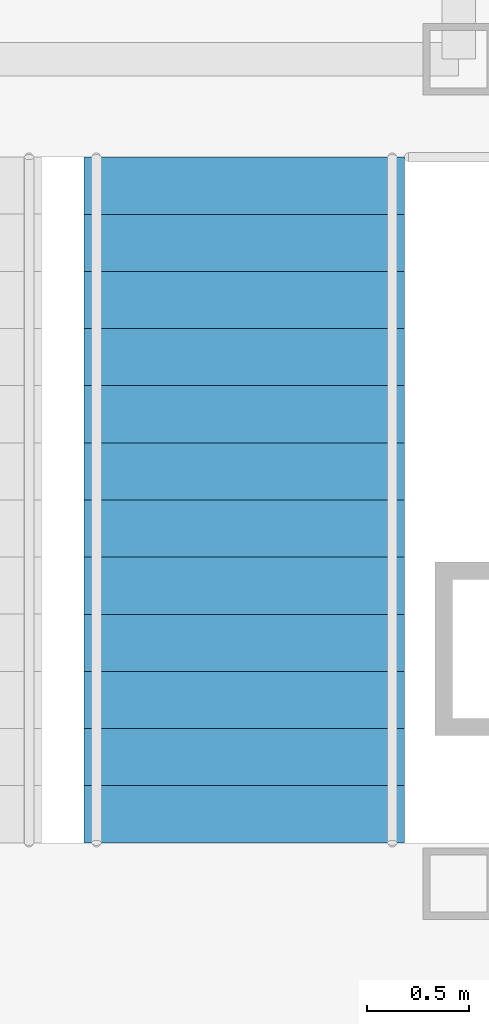
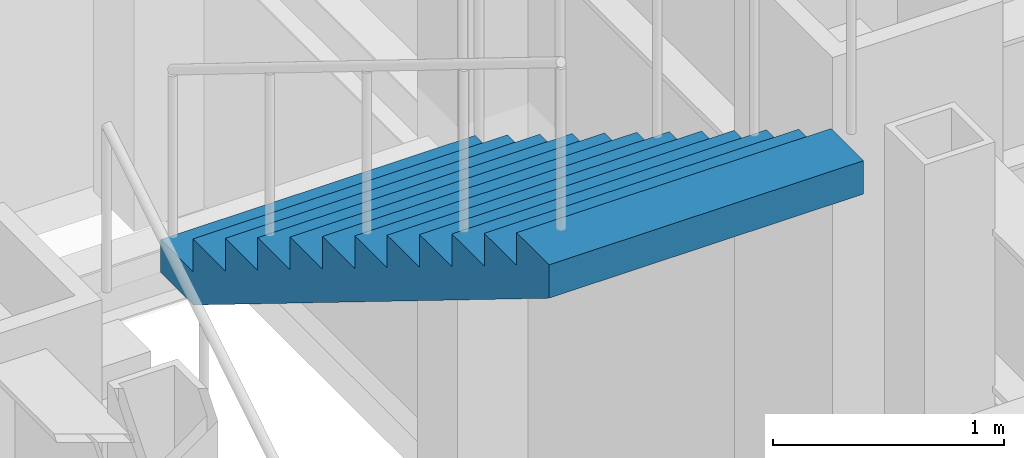
# One storey, part 13 of 16: 1 stair flight, 1 element without a shape of its own.
"""IFC4 building model written with IfcOpenShell, lengths in metres."""

from ifc_helpers import new_model, si_unit, direction, frame, origin, place, context, subcontext, project, spatial, faceted_brep, material, type_object, element, aggregate, save


model = new_model("IFC4")

# Units and contexts
model_context = context("Model", 3, precision=1e-05, world=origin(), true_north=direction((0.0, 1.0)))
body_context = subcontext(model_context, "Body", "Model", "MODEL_VIEW")
ifc_project = project(units=[si_unit("LENGTHUNIT", "METRE"), si_unit("AREAUNIT", "SQUARE_METRE"), si_unit("VOLUMEUNIT", "CUBIC_METRE"), si_unit("PLANEANGLEUNIT", "RADIAN"), si_unit("MASSUNIT", "GRAM", prefix="KILO")], contexts=[model_context])

# Site, building, storey
site_placement = place(None, origin())
site = spatial("IfcSite", under=ifc_project, at=site_placement, CompositionType="ELEMENT")
building_placement = place(site_placement, origin())
building = spatial("IfcBuilding", under=site, at=building_placement, Name="Chuquiago Exchange Tower", CompositionType="ELEMENT")
storey_placement = place(building_placement, frame((0.0, 0.0, 28.800048828125)))
storey = spatial("IfcBuildingStorey", under=building, at=storey_placement, Name="L05", CompositionType="ELEMENT", Elevation=28.800048828125)

# Stair, stair flight
ifc_material_1 = material(Name="Concrete C30/37, precast", Category="concrete")
stair_type = type_object("IfcStairType", Name="ST2 half-turn stair 4500", PredefinedType="HALF_TURN_STAIR", material=ifc_material_1)
stair_placement = place(storey_placement, origin())
stair = element("IfcStair", 1, at=stair_placement, inside=storey, type_object=stair_type, Name="Stair ST2 L05", PredefinedType="HALF_TURN_STAIR")
ifc_material_2 = material(Name="Concrete C30/37, precast", Category="concrete")
stair_flight_type = type_object("IfcStairFlightType", Name="ST-F flight 1570 for 4500 storey", PredefinedType="STRAIGHT", material=ifc_material_2)
stair_flight_placement = place(storey_placement, frame((31.639892578125, 26.409912109375, 2.25), z_axis=(0.0, 0.0, 1.0), x_axis=(0.0, -1.0, 0.0)))
stair_flight = element("IfcStairFlight", 2, at=stair_flight_placement, type_object=stair_flight_type, Name="ST2 flight 2", NumberOfRisers=13, NumberOfTreads=12, PredefinedType="STRAIGHT", RiserHeight=0.173076923, TreadLength=0.28, context=body_context, shape_type="Brep", body=[
    faceted_brep([(0.0, 0.78515625, 0.0), (0.0, 0.78515625, 0.173095703125), (0.280029296875, 0.78515625, 0.173095703125), (0.280029296875, 0.78515625, 0.34619140625), (0.56005859375, 0.78515625, 0.34619140625), (0.56005859375, 0.78515625, 0.519287109375), (0.840087890625, 0.78515625, 0.519287109375), (0.840087890625, 0.78515625, 0.6923828125), (1.1201171875, 0.78515625, 0.6923828125), (1.1201171875, 0.78515625, 0.865478515625), (1.39990234375, 0.78515625, 0.865478515625), (1.39990234375, 0.78515625, 1.03857421875), (1.679931640625, 0.78515625, 1.03857421875), (1.679931640625, 0.78515625, 1.21142578125), (1.9599609375, 0.78515625, 1.21142578125), (1.9599609375, 0.78515625, 1.384521484375), (2.239990234375, 0.78515625, 1.384521484375), (2.239990234375, 0.78515625, 1.5576171875), (2.52001953125, 0.78515625, 1.5576171875), (2.52001953125, 0.78515625, 1.730712890625), (2.800048828125, 0.78515625, 1.730712890625), (2.800048828125, 0.78515625, 1.90380859375), (3.080078125, 0.78515625, 1.90380859375), (3.080078125, 0.78515625, 2.076904296875), (3.360107421875, 0.78515625, 2.076904296875), (3.360107421875, 0.78515625, 1.900634765625), (0.28515625, 0.78515625, 0.0), (0.28515625, -0.78515625, 0.0), (3.360107421875, -0.78515625, 1.900634765625), (3.360107421875, -0.78515625, 2.076904296875), (3.080078125, -0.78515625, 2.076904296875), (3.080078125, -0.78515625, 1.90380859375), (2.800048828125, -0.78515625, 1.90380859375), (2.800048828125, -0.78515625, 1.730712890625), (2.52001953125, -0.78515625, 1.730712890625), (2.52001953125, -0.78515625, 1.5576171875), (2.239990234375, -0.78515625, 1.5576171875), (2.239990234375, -0.78515625, 1.384521484375), (1.9599609375, -0.78515625, 1.384521484375), (1.9599609375, -0.78515625, 1.21142578125), (1.679931640625, -0.78515625, 1.21142578125), (1.679931640625, -0.78515625, 1.03857421875), (1.39990234375, -0.78515625, 1.03857421875), (1.39990234375, -0.78515625, 0.865478515625), (1.1201171875, -0.78515625, 0.865478515625), (1.1201171875, -0.78515625, 0.6923828125), (0.840087890625, -0.78515625, 0.6923828125), (0.840087890625, -0.78515625, 0.519287109375), (0.56005859375, -0.78515625, 0.519287109375), (0.56005859375, -0.78515625, 0.34619140625), (0.280029296875, -0.78515625, 0.34619140625), (0.280029296875, -0.78515625, 0.173095703125), (0.0, -0.78515625, 0.173095703125), (0.0, -0.78515625, 0.0), (0.0, 0.392578125, 0.0), (0.0, 0.392578125, 0.173095703125), (0.0, 0.0, 0.0), (0.0, 0.0, 0.173095703125), (0.0, -0.392578125, 0.0), (0.0, -0.392578125, 0.173095703125), (0.280029296875, 0.392578125, 0.173095703125), (0.280029296875, 0.0, 0.173095703125), (0.280029296875, -0.392578125, 0.173095703125), (0.280029296875, 0.392578125, 0.34619140625), (0.280029296875, 0.0, 0.34619140625), (0.280029296875, -0.392578125, 0.34619140625), (0.56005859375, 0.392578125, 0.34619140625), (0.56005859375, 0.0, 0.34619140625), (0.56005859375, -0.392578125, 0.34619140625), (0.56005859375, 0.392578125, 0.519287109375), (0.56005859375, 0.0, 0.519287109375), (0.56005859375, -0.392578125, 0.519287109375), (0.840087890625, 0.392578125, 0.519287109375), (0.840087890625, 0.0, 0.519287109375), (0.840087890625, -0.392578125, 0.519287109375), (0.840087890625, 0.392578125, 0.6923828125), (0.840087890625, 0.0, 0.6923828125), (0.840087890625, -0.392578125, 0.6923828125), (1.1201171875, 0.392578125, 0.6923828125), (1.1201171875, 0.0, 0.6923828125), (1.1201171875, -0.392578125, 0.6923828125), (1.1201171875, 0.392578125, 0.865478515625), (1.1201171875, 0.0, 0.865478515625), (1.1201171875, -0.392578125, 0.865478515625), (1.39990234375, 0.392578125, 0.865478515625), (1.39990234375, 0.0, 0.865478515625), (1.39990234375, -0.392578125, 0.865478515625), (1.39990234375, 0.392578125, 1.03857421875), (1.39990234375, 0.0, 1.03857421875), (1.39990234375, -0.392578125, 1.03857421875), (1.679931640625, 0.392578125, 1.03857421875), (1.679931640625, 0.0, 1.03857421875), (1.679931640625, -0.392578125, 1.03857421875), (1.679931640625, 0.392578125, 1.21142578125), (1.679931640625, 0.0, 1.21142578125), (1.679931640625, -0.392578125, 1.21142578125), (1.9599609375, 0.392578125, 1.21142578125), (1.9599609375, 0.0, 1.21142578125), (1.9599609375, -0.392578125, 1.21142578125), (1.9599609375, 0.392578125, 1.384521484375), (1.9599609375, 0.0, 1.384521484375), (1.9599609375, -0.392578125, 1.384521484375), (2.239990234375, 0.392578125, 1.384521484375), (2.239990234375, 0.0, 1.384521484375), (2.239990234375, -0.392578125, 1.384521484375), (2.239990234375, 0.392578125, 1.5576171875), (2.239990234375, 0.0, 1.5576171875), (2.239990234375, -0.392578125, 1.5576171875), (2.52001953125, 0.392578125, 1.5576171875), (2.52001953125, 0.0, 1.5576171875), (2.52001953125, -0.392578125, 1.5576171875), (2.52001953125, 0.392578125, 1.730712890625), (2.52001953125, 0.0, 1.730712890625), (2.52001953125, -0.392578125, 1.730712890625), (2.800048828125, 0.392578125, 1.730712890625), (2.800048828125, 0.0, 1.730712890625), (2.800048828125, -0.392578125, 1.730712890625), (2.800048828125, 0.392578125, 1.90380859375), (2.800048828125, 0.0, 1.90380859375), (2.800048828125, -0.392578125, 1.90380859375), (3.080078125, 0.392578125, 1.90380859375), (3.080078125, 0.0, 1.90380859375), (3.080078125, -0.392578125, 1.90380859375), (3.080078125, 0.392578125, 2.076904296875), (3.080078125, 0.0, 2.076904296875), (3.080078125, -0.392578125, 2.076904296875), (3.360107421875, 0.392578125, 2.076904296875), (3.360107421875, 0.0, 2.076904296875), (3.360107421875, -0.392578125, 2.076904296875), (3.360107421875, 0.392578125, 1.900634765625), (3.360107421875, 0.0, 1.900634765625), (3.360107421875, -0.392578125, 1.900634765625), (0.28515625, 0.392578125, 0.0), (0.28515625, 0.0, 0.0), (0.28515625, -0.392578125, 0.0)], [[[0, 1, 2, 3, 4, 5, 6, 7, 8, 9, 10, 11, 12, 13, 14, 15, 16, 17, 18, 19, 20, 21, 22, 23, 24, 25, 26]], [[27, 28, 29, 30, 31, 32, 33, 34, 35, 36, 37, 38, 39, 40, 41, 42, 43, 44, 45, 46, 47, 48, 49, 50, 51, 52, 53]], [[1, 0, 54, 55]], [[55, 54, 56, 57]], [[57, 56, 58, 59]], [[59, 58, 53, 52]], [[2, 1, 55, 60]], [[60, 55, 57, 61]], [[61, 57, 59, 62]], [[62, 59, 52, 51]], [[3, 2, 60, 63]], [[63, 60, 61, 64]], [[64, 61, 62, 65]], [[65, 62, 51, 50]], [[4, 3, 63, 66]], [[66, 63, 64, 67]], [[67, 64, 65, 68]], [[68, 65, 50, 49]], [[5, 4, 66, 69]], [[69, 66, 67, 70]], [[70, 67, 68, 71]], [[71, 68, 49, 48]], [[6, 5, 69, 72]], [[72, 69, 70, 73]], [[73, 70, 71, 74]], [[74, 71, 48, 47]], [[7, 6, 72, 75]], [[75, 72, 73, 76]], [[76, 73, 74, 77]], [[77, 74, 47, 46]], [[8, 7, 75, 78]], [[78, 75, 76, 79]], [[79, 76, 77, 80]], [[80, 77, 46, 45]], [[9, 8, 78, 81]], [[81, 78, 79, 82]], [[82, 79, 80, 83]], [[83, 80, 45, 44]], [[10, 9, 81, 84]], [[84, 81, 82, 85]], [[85, 82, 83, 86]], [[86, 83, 44, 43]], [[11, 10, 84, 87]], [[87, 84, 85, 88]], [[88, 85, 86, 89]], [[89, 86, 43, 42]], [[12, 11, 87, 90]], [[90, 87, 88, 91]], [[91, 88, 89, 92]], [[92, 89, 42, 41]], [[13, 12, 90, 93]], [[93, 90, 91, 94]], [[94, 91, 92, 95]], [[95, 92, 41, 40]], [[14, 13, 93, 96]], [[96, 93, 94, 97]], [[97, 94, 95, 98]], [[98, 95, 40, 39]], [[15, 14, 96, 99]], [[99, 96, 97, 100]], [[100, 97, 98, 101]], [[101, 98, 39, 38]], [[16, 15, 99, 102]], [[102, 99, 100, 103]], [[103, 100, 101, 104]], [[104, 101, 38, 37]], [[17, 16, 102, 105]], [[105, 102, 103, 106]], [[106, 103, 104, 107]], [[107, 104, 37, 36]], [[18, 17, 105, 108]], [[108, 105, 106, 109]], [[109, 106, 107, 110]], [[110, 107, 36, 35]], [[19, 18, 108, 111]], [[111, 108, 109, 112]], [[112, 109, 110, 113]], [[113, 110, 35, 34]], [[20, 19, 111, 114]], [[114, 111, 112, 115]], [[115, 112, 113, 116]], [[116, 113, 34, 33]], [[21, 20, 114, 117]], [[117, 114, 115, 118]], [[118, 115, 116, 119]], [[119, 116, 33, 32]], [[22, 21, 117, 120]], [[120, 117, 118, 121]], [[121, 118, 119, 122]], [[122, 119, 32, 31]], [[23, 22, 120, 123]], [[123, 120, 121, 124]], [[124, 121, 122, 125]], [[125, 122, 31, 30]], [[24, 23, 123, 126]], [[126, 123, 124, 127]], [[127, 124, 125, 128]], [[128, 125, 30, 29]], [[25, 24, 126, 129]], [[129, 126, 127, 130]], [[130, 127, 128, 131]], [[131, 128, 29, 28]], [[26, 25, 129, 132]], [[132, 129, 130, 133]], [[133, 130, 131, 134]], [[134, 131, 28, 27]], [[0, 26, 132, 54]], [[54, 132, 133, 56]], [[56, 133, 134, 58]], [[58, 134, 27, 53]]]),
])
aggregate(stair, [stair_flight])

save(model, "model.ifc")
